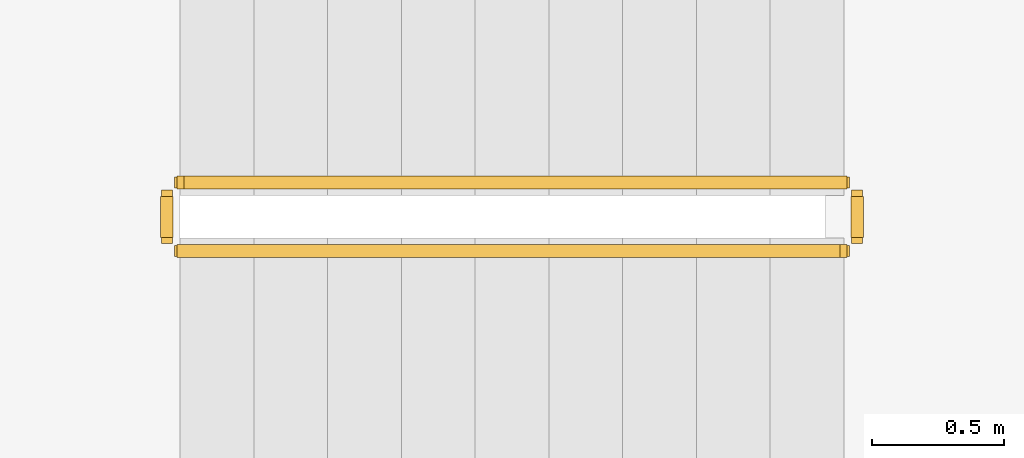
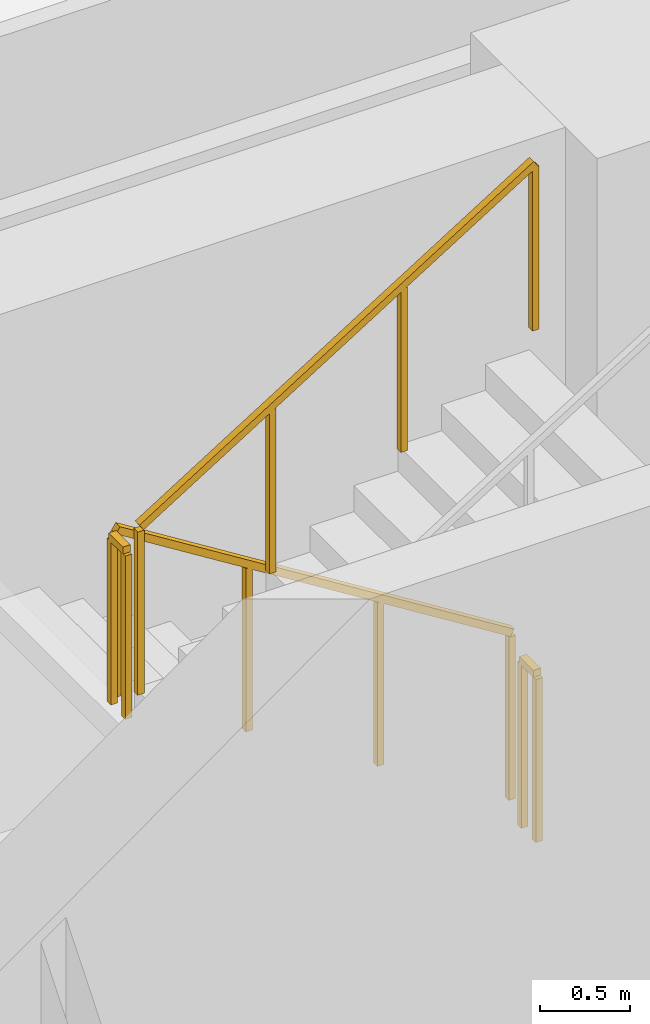
# One storey, part 14 of 16: 4 railings.
"""IFC4 building model written with IfcOpenShell, lengths in metres."""

import ifcopenshell
import ifcopenshell.guid

model = None  # the IFC model being written
_history = None  # IfcOwnerHistory: only IFC2X3 demands one
_inside = {}  # id of a spatial element -> (the spatial element, [elements in it])
_under = {}  # id of a project, library or spatial element -> (it, [spatial elements below it])
_declared = {}  # id of a project -> (the project, [libraries it declares])
_typed = {}  # id of a type object -> (the type object, [elements of that type])
_made_of = {}  # id of a material, layer set ... -> (it, [elements and type objects made of it])


def new_model(schema):
    """Start an empty IFC model of exactly this schema.

    Asked for "IFC4X3", IfcOpenShell would pick the latest addendum, in which some entities
    have other attributes; the version numbers below select the first issue.
    IFC2X3 requires an IfcOwnerHistory on every rooted entity: one is made here for all.
    """
    global model, _history
    if schema == "IFC4X3":
        model = ifcopenshell.file(schema_version=(4, 3, 0, 0))
    else:
        model = ifcopenshell.file(schema=schema)
    _inside.clear()
    _under.clear()
    _declared.clear()
    _typed.clear()
    _made_of.clear()
    _history = None
    if model.schema == "IFC2X3":
        org = make("IfcOrganization", Name="unknown")
        user = make(
            "IfcPersonAndOrganization",
            ThePerson=make("IfcPerson", FamilyName="unknown"),
            TheOrganization=org,
        )
        app = make(
            "IfcApplication",
            ApplicationDeveloper=org,
            Version="unknown",
            ApplicationFullName="unknown",
            ApplicationIdentifier="unknown",
        )
        _history = make(
            "IfcOwnerHistory",
            OwningUser=user,
            OwningApplication=app,
            ChangeAction="ADDED",
            CreationDate=0,
        )
    return model


def make(cls, **values):
    """One entity of the class cls with the attributes given. An attribute that is None is left unset."""
    return model.create_entity(
        cls, **{name: value for name, value in values.items() if value is not None}
    )


def rooted(cls, **values):
    """An entity with a GlobalId (a new one), such as an element, a storey or a relation."""
    return make(cls, GlobalId=ifcopenshell.guid.new(), OwnerHistory=_history, **values)


def si_unit(unit_type, name, prefix=None):
    """IfcSIUnit, for example si_unit("LENGTHUNIT", "METRE", prefix="MILLI")."""
    return make("IfcSIUnit", UnitType=unit_type, Prefix=prefix, Name=name)


def assignment(units):
    """IfcUnitAssignment: the units of a project."""
    return None if units is None else make("IfcUnitAssignment", Units=units)


def point(xyz):
    """IfcCartesianPoint."""
    return None if xyz is None else make("IfcCartesianPoint", Coordinates=xyz)


def direction(xyz):
    """IfcDirection."""
    return None if xyz is None else make("IfcDirection", DirectionRatios=xyz)


def frame(location, z_axis=None, x_axis=None):
    """IfcAxis2Placement3D, a coordinate frame: its origin and axes. An axis left out is left unset."""
    return make(
        "IfcAxis2Placement3D",
        Location=point(location),
        Axis=direction(z_axis),
        RefDirection=direction(x_axis),
    )


def frame_2d(location, x_axis=None):
    """IfcAxis2Placement2D, a coordinate frame in the plane: its origin and x axis."""
    return make(
        "IfcAxis2Placement2D", Location=point(location), RefDirection=direction(x_axis)
    )


def origin():
    """The frame at (0, 0, 0) with its axes left unset."""
    return frame((0.0, 0.0, 0.0))


def origin_2d():
    """The frame at (0, 0) in the plane with its x axis left unset."""
    return frame_2d((0.0, 0.0))


def place(relative_to, where):
    """IfcLocalPlacement: puts the frame where relative to a parent placement (None: the world)."""
    return make(
        "IfcLocalPlacement", PlacementRelTo=relative_to, RelativePlacement=where
    )


def context(
    kind, dimensions, precision=None, world=None, true_north=None, identifier=None
):
    """IfcGeometricRepresentationContext, for example the 3D "Model" context."""
    return make(
        "IfcGeometricRepresentationContext",
        ContextIdentifier=identifier,
        ContextType=kind,
        CoordinateSpaceDimension=dimensions,
        Precision=precision,
        WorldCoordinateSystem=world,
        TrueNorth=true_north,
    )


def subcontext(parent, identifier, kind, view, scale=None):
    """IfcGeometricRepresentationSubContext, for example "Body" below "Model"."""
    return make(
        "IfcGeometricRepresentationSubContext",
        ContextIdentifier=identifier,
        ContextType=kind,
        ParentContext=parent,
        TargetScale=scale,
        TargetView=view,
    )


def project(units=None, contexts=None):
    """IfcProject with its units and contexts."""
    return rooted(
        "IfcProject",
        Name="project",
        RepresentationContexts=contexts,
        UnitsInContext=assignment(units),
    )


def spatial(cls, under=None, at=None, **own):
    """A site, building, storey or space (cls), placed at a placement, below another one or the project."""
    s = rooted(cls, ObjectPlacement=at, **own)
    if under is not None:
        _under.setdefault(under.id(), (under, []))[1].append(s)
    return s


def profile(cls, at=None, kind="AREA", **sizes):
    """A parametric profile (cls). Its sizes go by their IFC names, for example OverallWidth=200.0."""
    return make(cls, ProfileType=kind, Position=at, **sizes)


def rectangle(**sizes):
    """IfcRectangleProfileDef."""
    return profile("IfcRectangleProfileDef", **sizes)


def extrude(swept, where, along, depth):
    """IfcExtrudedAreaSolid: the profile swept, set in the frame where, extruded along a direction by depth."""
    return make(
        "IfcExtrudedAreaSolid",
        SweptArea=swept,
        Position=where,
        ExtrudedDirection=direction(along),
        Depth=depth,
    )


def shape(context_of_items, identifier, shape_type, items):
    """IfcShapeRepresentation: the items that make up one representation, for example the "Body"."""
    return make(
        "IfcShapeRepresentation",
        ContextOfItems=context_of_items,
        RepresentationIdentifier=identifier,
        RepresentationType=shape_type,
        Items=items,
    )


def material(Name=None, Category=None):
    """IfcMaterial."""
    return make("IfcMaterial", Name=Name, Category=Category)


def made_of(thing, what):
    """Note that an element or type object is made of a material, layer set ...; save() writes the relation."""
    if what is not None:
        _made_of.setdefault(what.id(), (what, []))[1].append(thing)
    return thing


def type_object(cls, material=None, **own):
    """A type object (cls), such as IfcWallType, which elements share."""
    return made_of(rooted(cls, **own), material)


def element(
    cls,
    number,
    at=None,
    inside=None,
    cuts=None,
    type_object=None,
    material=None,
    context=None,
    identifier="Body",
    shape_type=None,
    held_by="IfcProductDefinitionShape",
    body=None,
    shapes=None,
    **own,
):
    """One element of the class cls, such as IfcWall. Its Tag is "e" and its number.

    at: its placement. inside: the storey or other place that contains it. cuts: it is an
    opening in that element (IfcRelVoidsElement). A single representation is given by context,
    identifier, shape_type and body (its items); several are given by shapes. held_by: the class
    of the entity that holds the representations. save() writes the other relations.
    """
    e = rooted(cls, Tag="e%d" % number, ObjectPlacement=at, **own)
    if body is not None:
        shapes = [shape(context, identifier, shape_type, body)]
    if shapes is not None:
        e.Representation = make(held_by, Representations=shapes)
    if inside is not None:
        _inside.setdefault(inside.id(), (inside, []))[1].append(e)
    if cuts is not None:
        rooted(
            "IfcRelVoidsElement", RelatingBuildingElement=cuts, RelatedOpeningElement=e
        )
    if type_object is not None:
        _typed.setdefault(type_object.id(), (type_object, []))[1].append(e)
    return made_of(e, material)


def aggregate(whole, parts):
    """IfcRelAggregates: a whole, such as a stair, and the parts it consists of."""
    return rooted("IfcRelAggregates", RelatingObject=whole, RelatedObjects=parts)


def save(model, path):
    """Write the relations noted so far, then the file.

    IfcRelAggregates (storeys below a building ...), IfcRelContainedInSpatialStructure (elements
    in a storey), IfcRelDefinesByType, IfcRelAssociatesMaterial and IfcRelDeclares: one each for
    every whole, place, type object, material and project.
    """
    for whole, parts in _under.values():
        aggregate(whole, parts)
    for where, things in _inside.values():
        rooted(
            "IfcRelContainedInSpatialStructure",
            RelatedElements=things,
            RelatingStructure=where,
        )
    for kind, things in _typed.values():
        rooted("IfcRelDefinesByType", RelatedObjects=things, RelatingType=kind)
    for what, things in _made_of.values():
        rooted("IfcRelAssociatesMaterial", RelatedObjects=things, RelatingMaterial=what)
    for by, libraries in _declared.values():
        rooted("IfcRelDeclares", RelatingContext=by, RelatedDefinitions=libraries)
    model.write(path)


model = new_model("IFC4")

# Units and contexts
model_context = context("Model", 3, precision=1e-05, world=origin(), true_north=direction((0.0, 1.0)))
body_context = subcontext(model_context, "Body", "Model", "MODEL_VIEW")
ifc_project = project(units=[si_unit("LENGTHUNIT", "METRE"), si_unit("AREAUNIT", "SQUARE_METRE"), si_unit("VOLUMEUNIT", "CUBIC_METRE"), si_unit("PLANEANGLEUNIT", "RADIAN"), si_unit("MASSUNIT", "GRAM", prefix="KILO")], contexts=[model_context])

# Site, building, storey
site_placement = place(None, origin())
site = spatial("IfcSite", under=ifc_project, at=site_placement, CompositionType="ELEMENT")
building_placement = place(site_placement, origin())
building = spatial("IfcBuilding", under=site, at=building_placement, Name="Zarnavel Station Tower", CompositionType="ELEMENT")
storey_placement = place(building_placement, frame((0.0, 0.0, 64.0)))
storey = spatial("IfcBuildingStorey", under=building, at=storey_placement, Name="L17", CompositionType="ELEMENT", Elevation=64.0)

# Railings
ifc_material = material(Name="Painted Steel S355J2 Balustrade", Category="steel")
railing_type = type_object("IfcRailingType", Name="GR_INT_1150", PredefinedType="GUARDRAIL", material=ifc_material)
railing_1_placement = place(storey_placement, frame((19.47998046875, 35.3701171875, 0.175048828125)))
element("IfcRailing", 1, at=railing_1_placement, inside=storey, type_object=railing_type, Name="L17 ST1 stair guard 1", PredefinedType="GUARDRAIL", context=body_context, shape_type="SweptSolid", body=[
    extrude(rectangle(XDim=0.048095703125, YDim=0.048095703125, at=origin_2d()), frame((-0.001708984375, 0.0, 1.126953125), z_axis=(-0.848007534815, 0.0, 0.529984170421), x_axis=(0.0, -1.0, 0.0)), (0.0, 0.0, 1.0), 2.9677734375),
    extrude(rectangle(XDim=0.0419921875, YDim=0.0419921875, at=origin_2d()), origin(), (0.0, 0.0, 1.0), 1.101806640625),
    extrude(rectangle(XDim=0.0419921875, YDim=0.0419921875, at=origin_2d()), frame((-0.840087890625, 0.0, 0.52490234375)), (0.0, 0.0, 1.0), 1.101806640625),
    extrude(rectangle(XDim=0.0419921875, YDim=0.0419921875, at=origin_2d()), frame((-1.679931640625, 0.0, 1.050048828125)), (0.0, 0.0, 1.0), 1.101806640625),
    extrude(rectangle(XDim=0.0419921875, YDim=0.0419921875, at=origin_2d()), frame((-2.52001953125, 0.0, 1.574951171875)), (0.0, 0.0, 1.0), 1.101806640625),
])
railing_2_placement = place(storey_placement, frame((16.909912109375, 35.320068359375, 1.75)))
element("IfcRailing", 2, at=railing_2_placement, inside=storey, type_object=railing_type, Name="L17 ST1 stair guard 2", PredefinedType="GUARDRAIL", context=body_context, shape_type="SweptSolid", body=[
    extrude(rectangle(XDim=0.048095703125, YDim=0.048095703125, at=origin_2d()), frame((0.0, -0.001953125, 1.1259765625), z_axis=(0.0, -1.0, 0.0), x_axis=(1.0, 0.0, 0.0)), (0.0, 0.0, 1.0), 0.15625),
    extrude(rectangle(XDim=0.0419921875, YDim=0.0419921875, at=origin_2d()), origin(), (0.0, 0.0, 1.0), 1.101806640625),
    extrude(rectangle(XDim=0.0419921875, YDim=0.0419921875, at=origin_2d()), frame((0.0, -0.16015625, 0.0)), (0.0, 0.0, 1.0), 1.101806640625),
])
railing_3_placement = place(storey_placement, frame((16.9599609375, 35.110107421875, 1.925048828125)))
element("IfcRailing", 3, at=railing_3_placement, inside=storey, type_object=railing_type, Name="L17 ST1 stair guard 3", PredefinedType="GUARDRAIL", context=body_context, shape_type="SweptSolid", body=[
    extrude(rectangle(XDim=0.048095703125, YDim=0.048095703125, at=origin_2d()), frame((0.001708984375, 0.0, 1.126953125), z_axis=(0.848007534815, 0.0, 0.529984170421), x_axis=(0.0, 1.0, 0.0)), (0.0, 0.0, 1.0), 2.9677734375),
    extrude(rectangle(XDim=0.0419921875, YDim=0.0419921875, at=origin_2d()), origin(), (0.0, 0.0, 1.0), 1.101806640625),
    extrude(rectangle(XDim=0.0419921875, YDim=0.0419921875, at=origin_2d()), frame((0.840087890625, 0.0, 0.52490234375)), (0.0, 0.0, 1.0), 1.101806640625),
    extrude(rectangle(XDim=0.0419921875, YDim=0.0419921875, at=origin_2d()), frame((1.679931640625, 0.0, 1.050048828125)), (0.0, 0.0, 1.0), 1.101806640625),
    extrude(rectangle(XDim=0.0419921875, YDim=0.0419921875, at=origin_2d()), frame((2.52001953125, 0.0, 1.574951171875)), (0.0, 0.0, 1.0), 1.101806640625),
])
railing_4_placement = place(storey_placement, frame((19.530029296875, 35.320068359375, 0.0)))
element("IfcRailing", 4, at=railing_4_placement, inside=storey, type_object=railing_type, Name="L17 ST1 stair guard 4", PredefinedType="GUARDRAIL", context=body_context, shape_type="SweptSolid", body=[
    extrude(rectangle(XDim=0.048095703125, YDim=0.048095703125, at=origin_2d()), frame((0.0, -0.001953125, 1.1259765625), z_axis=(0.0, -1.0, 0.0), x_axis=(1.0, 0.0, 0.0)), (0.0, 0.0, 1.0), 0.15625),
    extrude(rectangle(XDim=0.0419921875, YDim=0.0419921875, at=origin_2d()), origin(), (0.0, 0.0, 1.0), 1.101806640625),
    extrude(rectangle(XDim=0.0419921875, YDim=0.0419921875, at=origin_2d()), frame((0.0, -0.16015625, 0.0)), (0.0, 0.0, 1.0), 1.101806640625),
])

save(model, "model.ifc")
